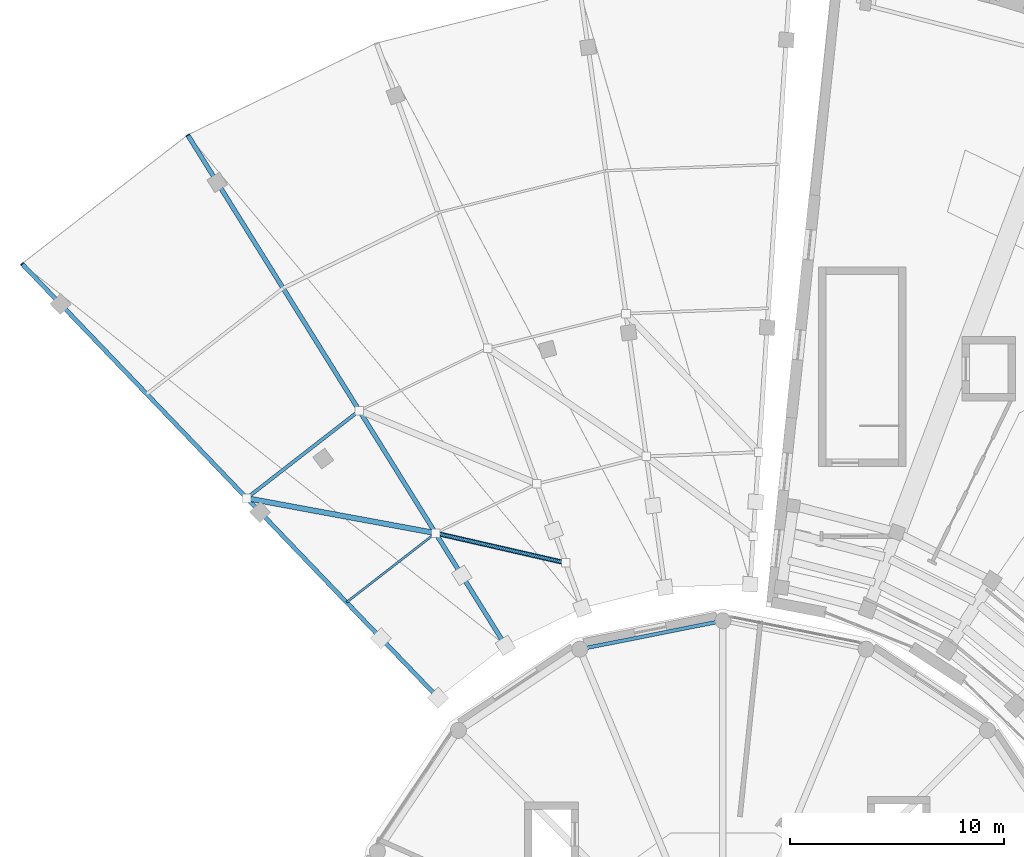
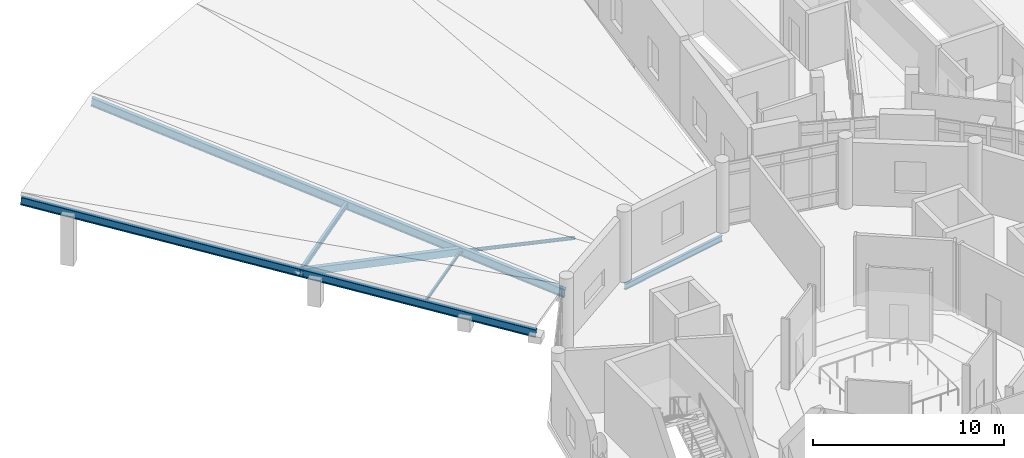
# One storey, part 11 of 27: 4 members, 3 beams.
"""IFC4 building model written with IfcOpenShell, lengths in metres."""

from ifc_helpers import new_model, si_unit, direction, frame, origin, origin_2d, place, context, subcontext, project, spatial, hollow_rectangle, hollow_circle, i_section, extrude, material, material_profile, profile_set, type_object, element, save


model = new_model("IFC4")

# Units and contexts
model_context = context("Model", 3, precision=1e-05, world=origin(), true_north=direction((0.0, 1.0)))
body_context = subcontext(model_context, "Body", "Model", "MODEL_VIEW")
ifc_project = project(units=[si_unit("LENGTHUNIT", "METRE"), si_unit("AREAUNIT", "SQUARE_METRE"), si_unit("VOLUMEUNIT", "CUBIC_METRE"), si_unit("PLANEANGLEUNIT", "RADIAN"), si_unit("MASSUNIT", "GRAM", prefix="KILO")], contexts=[model_context])

# Site, building, storey
site_placement = place(None, origin())
site = spatial("IfcSite", under=ifc_project, at=site_placement, CompositionType="ELEMENT")
building_placement = place(site_placement, origin())
building = spatial("IfcBuilding", under=site, at=building_placement, Name="Soyqirgoq Riverine Aquarium", CompositionType="ELEMENT")
storey_placement = place(building_placement, frame((0.0, 0.0, 19.800048828125)))
storey = spatial("IfcBuildingStorey", under=building, at=storey_placement, Name="L05", CompositionType="ELEMENT", Elevation=19.800048828125)

# Member
ifc_material_1 = material(Name="Structural steel S355", Category="steel")
ifc_material_profile_1 = material_profile(ifc_material_1, hollow_circle(Radius=0.109619140625, WallThickness=0.010009765625, at=origin_2d()), Name="CHS 219.1x10")
ifc_profile_set_1 = profile_set([ifc_material_profile_1], Name="Structural steel S355")
member_type_1 = type_object("IfcMemberType", Name="Diag_CHS219", PredefinedType="RAFTER", material=ifc_profile_set_1)
member_1_placement = place(storey_placement, frame((48.665771484375, 77.15087890625, 0.38330078125), z_axis=(-0.972589423329, 0.222365363451, 0.067996020229), x_axis=(-0.222881201403, -0.974845613449, 0.0)))
element("IfcMember", 1, at=member_1_placement, inside=storey, type_object=member_type_1, Name="V4 Prairie Truss Sub-Rafter Diagonal 0207", PredefinedType="RAFTER", context=body_context, shape_type="SweptSolid", body=[
    extrude(hollow_circle(Radius=0.109619140625, WallThickness=0.010009765625, at=origin_2d()), origin(), (0.0, 0.0, 1.0), 6.243896484375),
])

# Beams
ifc_material_2 = material(Name="Structural steel S355", Category="steel")
ifc_material_profile_2 = material_profile(ifc_material_2, i_section(OverallWidth=0.199951171875, OverallDepth=0.5, WebThickness=0.01025390625, FlangeThickness=0.01611328125, FilletRadius=0.02099609375, at=origin_2d()), Name="IPE 500")
ifc_profile_set_2 = profile_set([ifc_material_profile_2], Name="Structural steel S355")
beam_type_1 = type_object("IfcBeamType", Name="Outrigger_IPE500", PredefinedType="BEAM", material=ifc_profile_set_2)
beam_1_placement = place(storey_placement, frame((42.7109375, 70.85791015625, 0.21337890625), z_axis=(-0.688229368313, 0.717671873136, 0.106242266079), x_axis=(-0.721756818824, -0.692146729012, 0.0)))
element("IfcBeam", 2, at=beam_1_placement, inside=storey, type_object=beam_type_1, Name="V4 Prairie Cantilever Eave Rafter 05", PredefinedType="BEAM", context=body_context, shape_type="SweptSolid", body=[
    extrude(i_section(OverallWidth=0.199951171875, OverallDepth=0.5, WebThickness=0.01025390625, FlangeThickness=0.01611328125, FilletRadius=0.02099609375, at=origin_2d()), origin(), (0.0, 0.0, 1.0), 28.209716796875),
])
ifc_material_3 = material(Name="Structural steel S355", Category="steel")
ifc_material_profile_3 = material_profile(ifc_material_3, i_section(OverallWidth=0.2099609375, OverallDepth=0.550048828125, WebThickness=0.010986328125, FlangeThickness=0.01708984375, FilletRadius=0.02392578125, at=origin_2d()), Name="IPE 550")
ifc_profile_set_3 = profile_set([ifc_material_profile_3], Name="Structural steel S355")
beam_type_2 = type_object("IfcBeamType", Name="Outrigger_IPE550", PredefinedType="BEAM", material=ifc_profile_set_3)
beam_2_placement = place(storey_placement, frame((45.85400390625, 73.30029296875, 0.188232421875), z_axis=(-0.525447495586, 0.844165664706, 0.106250929), x_axis=(-0.848971395864, -0.528438803462, 0.0)))
element("IfcBeam", 3, at=beam_2_placement, inside=storey, type_object=beam_type_2, Name="V4 Prairie Cantilever Eave Rafter 04", PredefinedType="BEAM", context=body_context, shape_type="SweptSolid", body=[
    extrude(i_section(OverallWidth=0.2099609375, OverallDepth=0.550048828125, WebThickness=0.010986328125, FlangeThickness=0.01708984375, FilletRadius=0.02392578125, at=origin_2d()), origin(), (0.0, 0.0, 1.0), 28.209716796875),
])

# Members
ifc_material_4 = material(Name="Structural steel S355", Category="steel")
ifc_material_profile_4 = material_profile(ifc_material_4, i_section(OverallWidth=0.10009765625, OverallDepth=0.199951171875, WebThickness=0.005615234375, FlangeThickness=0.008544921875, FilletRadius=0.011962890625, at=origin_2d()), Name="IPE 200")
ifc_profile_set_4 = profile_set([ifc_material_profile_4], Name="Structural steel S355")
member_type_2 = type_object("IfcMemberType", Name="Purlin_IPE200", PredefinedType="PURLIN", material=ifc_profile_set_4)
member_2_placement = place(storey_placement, frame((42.593017578125, 78.539306640625, 0.825439453125), z_axis=(-0.789606069241, -0.613601706758, -0.003898830814), x_axis=(0.613606370455, -0.789612070664, 0.0)))
element("IfcMember", 4, at=member_2_placement, inside=storey, type_object=member_type_2, Name="V4 Prairie Roof Purlin 0185", PredefinedType="PURLIN", context=body_context, shape_type="SweptSolid", body=[
    extrude(i_section(OverallWidth=0.10009765625, OverallDepth=0.199951171875, WebThickness=0.005615234375, FlangeThickness=0.008544921875, FilletRadius=0.011962890625, at=origin_2d()), origin(), (0.0, 0.0, 1.0), 5.260009765625),
])
ifc_material_5 = material(Name="Structural steel S355", Category="steel")
ifc_material_profile_5 = material_profile(ifc_material_5, i_section(OverallWidth=0.159912109375, OverallDepth=0.330078125, WebThickness=0.007568359375, FlangeThickness=0.011474609375, FilletRadius=0.01806640625, at=origin_2d()), Name="IPE 330")
ifc_profile_set_5 = profile_set([ifc_material_profile_5], Name="Structural steel S355")
member_type_3 = type_object("IfcMemberType", Name="Purlin_IPE330", PredefinedType="PURLIN", material=ifc_profile_set_5)
member_3_placement = place(storey_placement, frame((39.03564453125, 84.254638671875, 1.658447265625), z_axis=(-0.789478579235, -0.613480637035, -0.01910709062), x_axis=(0.613592652742, -0.789622730487, 0.0)))
element("IfcMember", 5, at=member_3_placement, inside=storey, type_object=member_type_3, Name="V4 Prairie Roof Purlin 0186", PredefinedType="PURLIN", context=body_context, shape_type="SweptSolid", body=[
    extrude(i_section(OverallWidth=0.159912109375, OverallDepth=0.330078125, WebThickness=0.007568359375, FlangeThickness=0.011474609375, FilletRadius=0.01806640625, at=origin_2d()), origin(), (0.0, 0.0, 1.0), 6.656982421875),
])
ifc_material_6 = material(Name="Structural steel S355", Category="steel")
ifc_material_profile_6 = material_profile(ifc_material_6, hollow_rectangle(XDim=0.25, YDim=0.449951171875, WallThickness=0.01611328125, at=origin_2d()), Name="RHS 450x250x16")
ifc_profile_set_6 = profile_set([ifc_material_profile_6], Name="Structural steel S355")
member_type_4 = type_object("IfcMemberType", Name="RingChord_RHS450x250", PredefinedType="CHORD", material=ifc_profile_set_6)
member_4_placement = place(storey_placement, frame((42.593017578125, 78.539306640625, 0.84765625), z_axis=(-0.979921837307, 0.181390595515, 0.08276862103), x_axis=(-0.182015127442, -0.983295730379, 0.0)))
element("IfcMember", 6, at=member_4_placement, inside=storey, type_object=member_type_4, Name="V4 Lateral Wind Brace 0188", PredefinedType="CHORD", context=body_context, shape_type="SweptSolid", body=[
    extrude(hollow_rectangle(XDim=0.25, YDim=0.449951171875, WallThickness=0.01611328125, at=origin_2d()), origin(), (0.0, 0.0, 1.0), 8.99365234375),
])

# Beam
ifc_material_7 = material(Name="Structural steel S355", Category="steel")
ifc_material_profile_7 = material_profile(ifc_material_7, i_section(OverallWidth=0.169921875, OverallDepth=0.360107421875, WebThickness=0.008056640625, FlangeThickness=0.0126953125, FilletRadius=0.01806640625, at=origin_2d()), Name="IPE 360")
ifc_profile_set_7 = profile_set([ifc_material_profile_7], Name="Structural steel S355")
beam_type_3 = type_object("IfcBeamType", Name="Spandrel_Steel_IPE360", PredefinedType="SPANDREL", material=ifc_profile_set_7)
beam_3_placement = place(storey_placement, frame((55.98046875, 74.446044921875, -0.530029296875), z_axis=(-0.980784073274, -0.195096390568, 0.0), x_axis=(0.195096390568, -0.980784073274, 0.0)))
element("IfcBeam", 7, at=beam_3_placement, inside=storey, type_object=beam_type_3, Name="V1 L05 Drum Spandrel Beam 0123", PredefinedType="SPANDREL", context=body_context, shape_type="SweptSolid", body=[
    extrude(i_section(OverallWidth=0.169921875, OverallDepth=0.360107421875, WebThickness=0.008056640625, FlangeThickness=0.0126953125, FilletRadius=0.01806640625, at=origin_2d()), origin(), (0.0, 0.0, 1.0), 6.768798828125),
])

save(model, "model.ifc")
